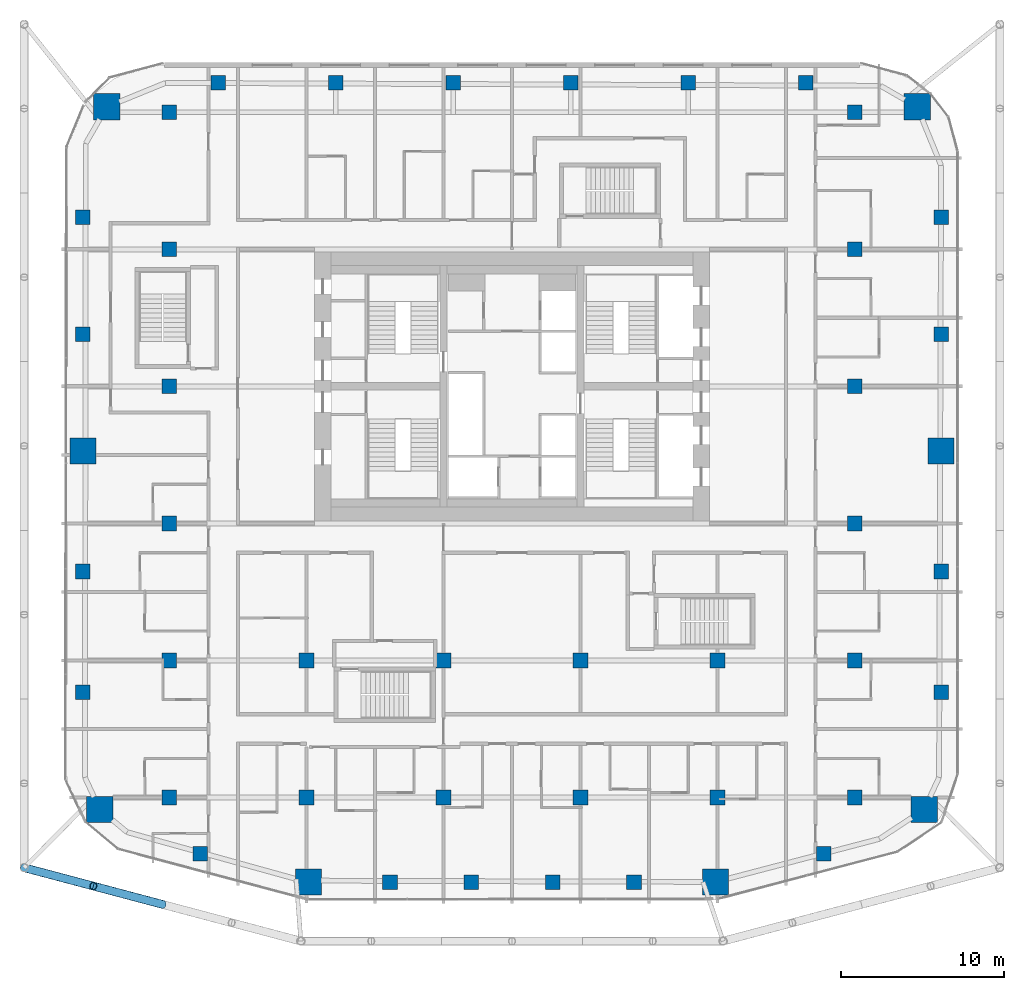
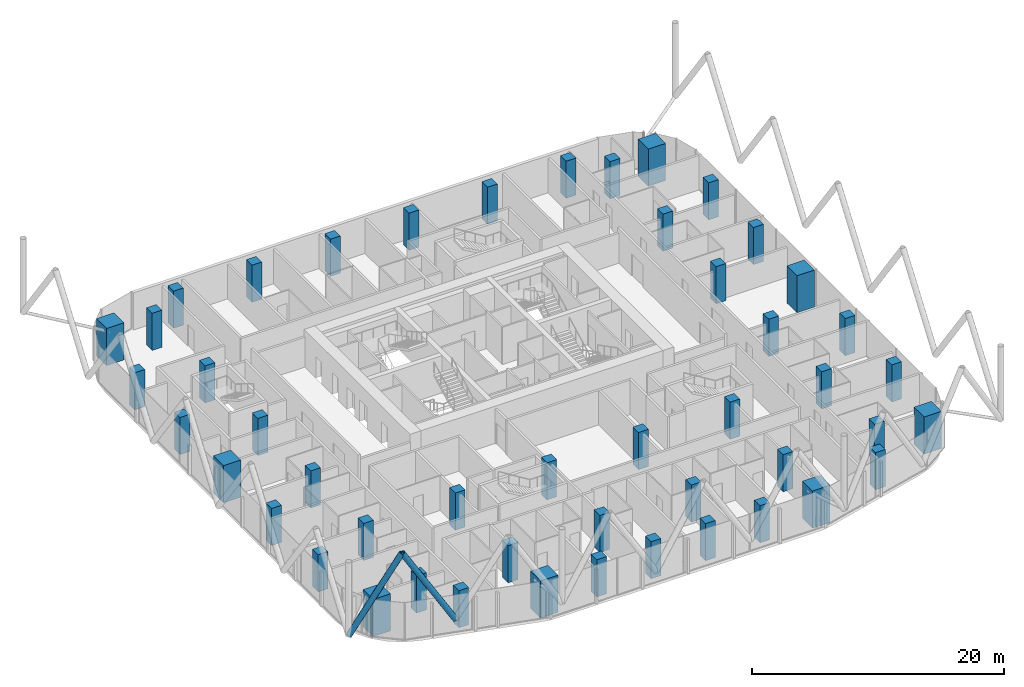
# One storey, part 1 of 33: 48 columns, 2 members.
"""IFC4 building model written with IfcOpenShell, lengths in metres."""

from ifc_helpers import new_model, si_unit, direction, frame, origin, origin_2d, place, context, subcontext, project, spatial, rectangle, hollow_circle, extrude, material, material_profile, profile_set, type_object, element, save


model = new_model("IFC4")

# Units and contexts
model_context = context("Model", 3, precision=1e-05, world=origin(), true_north=direction((0.0, 1.0)))
body_context = subcontext(model_context, "Body", "Model", "MODEL_VIEW")
ifc_project = project(units=[si_unit("LENGTHUNIT", "METRE"), si_unit("AREAUNIT", "SQUARE_METRE"), si_unit("VOLUMEUNIT", "CUBIC_METRE"), si_unit("PLANEANGLEUNIT", "RADIAN"), si_unit("MASSUNIT", "GRAM", prefix="KILO")], contexts=[model_context])

# Site, building, storey
site_placement = place(None, origin())
site = spatial("IfcSite", under=ifc_project, at=site_placement, CompositionType="ELEMENT")
building_placement = place(site_placement, origin())
building = spatial("IfcBuilding", under=site, at=building_placement, Name="Marenta Gate Hotel Tower", CompositionType="ELEMENT")
storey_placement = place(building_placement, frame((0.0, 0.0, 108.5)))
storey = spatial("IfcBuildingStorey", under=building, at=storey_placement, Name="L23", CompositionType="ELEMENT", Elevation=108.5)

# Columns
ifc_material_1 = material(Name="Concrete C70", Category="concrete")
ifc_material_profile_1 = material_profile(ifc_material_1, rectangle(XDim=0.89990234375, YDim=0.89990234375, at=origin_2d()), Name="900 x 900")
ifc_profile_set_1 = profile_set([ifc_material_profile_1], Name="Concrete C70")
column_type_1 = type_object("IfcColumnType", Name="Edge column 900 x 900 C70", PredefinedType="COLUMN", material=ifc_profile_set_1)
for number, where, z_axis, x_axis, name in (
    (1, (-26.300048828125, -10.351806640625, 0.0), (0.0, 0.0, 1.0), (1.0, 0.0, 0.0), "L23-EC-SW-W-1"),
    (2, (-26.300048828125, -2.950927734375, 0.0), (0.0, 0.0, 1.0), (1.0, 0.0, 0.0), "L23-EC-SW-W-2"),
    (3, (-26.300048828125, 11.603271484375, 0.0), (0.0, 0.0, 1.0), (1.0, 0.0, 0.0), "L23-EC-W-NW-1"),
    (4, (-26.300048828125, 18.75634765625, 0.0), (0.0, 0.0, 1.0), (1.0, 0.0, 0.0), "L23-EC-W-NW-2"),
    (5, (-18.0068359375, 27.0, 0.0), (0.0, 0.0, 1.0), (1.0, 0.0, 0.0), "L23-EC-NW-NE-1"),
    (6, (-10.80419921875, 27.0, 0.0), (0.0, 0.0, 1.0), (1.0, 0.0, 0.0), "L23-EC-NW-NE-2"),
    (7, (-3.601318359375, 27.0, 0.0), (0.0, 0.0, 1.0), (1.0, 0.0, 0.0), "L23-EC-NW-NE-3"),
    (8, (3.601318359375, 27.0, 0.0), (0.0, 0.0, 1.0), (1.0, 0.0, 0.0), "L23-EC-NW-NE-4"),
    (9, (10.80419921875, 27.0, 0.0), (0.0, 0.0, 1.0), (1.0, 0.0, 0.0), "L23-EC-NW-NE-5"),
    (10, (18.0068359375, 27.0, 0.0), (0.0, 0.0, 1.0), (1.0, 0.0, 0.0), "L23-EC-NW-NE-6"),
    (11, (26.300048828125, 18.75634765625, 0.0), (0.0, 0.0, 1.0), (1.0, 0.0, 0.0), "L23-EC-NE-E-1"),
    (12, (26.300048828125, 11.603271484375, 0.0), (0.0, 0.0, 1.0), (1.0, 0.0, 0.0), "L23-EC-NE-E-2"),
    (13, (26.300048828125, -2.950927734375, 0.0), (0.0, 0.0, 1.0), (1.0, 0.0, 0.0), "L23-EC-E-SE-1"),
    (14, (26.300048828125, -10.351806640625, 0.0), (0.0, 0.0, 1.0), (1.0, 0.0, 0.0), "L23-EC-E-SE-2"),
    (15, (19.106689453125, -20.239013671875, 0.0), (0.0, 0.0, 1.0), (1.0, 0.0, 0.0), "L23-EC-SE-SKE-1"),
    (16, (7.47998046875, -22.0, 0.0), (0.0, 0.0, 1.0), (1.0, 0.0, 0.0), "L23-EC-SKE-SKW-1"),
    (17, (2.493408203125, -22.0, 0.0), (0.0, 0.0, 1.0), (1.0, 0.0, 0.0), "L23-EC-SKE-SKW-2"),
    (18, (-2.493408203125, -22.0, 0.0), (0.0, 0.0, 1.0), (1.0, 0.0, 0.0), "L23-EC-SKE-SKW-3"),
    (19, (-7.47998046875, -22.0, 0.0), (0.0, 0.0, 1.0), (1.0, 0.0, 0.0), "L23-EC-SKE-SKW-4"),
    (20, (-19.106689453125, -20.239013671875, 0.0), (0.0, 0.0, 1.0), (1.0, 0.0, 0.0), "L23-EC-SKW-SW-1"),
):
    element("IfcColumn", number, at=place(storey_placement, frame(where, z_axis=z_axis, x_axis=x_axis)), inside=storey, type_object=column_type_1, Name=name, PredefinedType="COLUMN", context=body_context, shape_type="SweptSolid", body=[
        extrude(rectangle(XDim=0.89990234375, YDim=0.89990234375, at=origin_2d()), origin(), (0.0, 0.0, 1.0), 3.60009765625),
    ])
ifc_material_2 = material(Name="Concrete C70", Category="concrete")
ifc_material_profile_2 = material_profile(ifc_material_2, rectangle(XDim=0.89990234375, YDim=0.89990234375, at=origin_2d()), Name="900 x 900")
ifc_profile_set_2 = profile_set([ifc_material_profile_2], Name="Concrete C70")
column_type_2 = type_object("IfcColumnType", Name="Interior column 900 x 900 C70", PredefinedType="COLUMN", material=ifc_profile_set_2)
for number, where, z_axis, x_axis, name in (
    (21, (-21.0, -16.800048828125, 0.0), (0.0, 0.0, 1.0), (1.0, 0.0, 0.0), "L23-IC-4D"),
    (22, (-21.0, -8.39990234375, 0.0), (0.0, 0.0, 1.0), (1.0, 0.0, 0.0), "L23-IC-4E"),
    (23, (-21.0, 0.0, 0.0), (0.0, 0.0, 1.0), (1.0, 0.0, 0.0), "L23-IC-4F"),
    (24, (-21.0, 8.39990234375, 0.0), (0.0, 0.0, 1.0), (1.0, 0.0, 0.0), "L23-IC-4G"),
    (25, (-21.0, 16.800048828125, 0.0), (0.0, 0.0, 1.0), (1.0, 0.0, 0.0), "L23-IC-4H"),
    (26, (-21.0, 25.199951171875, 0.0), (0.0, 0.0, 1.0), (1.0, 0.0, 0.0), "L23-IC-4I"),
    (27, (-12.60009765625, -16.800048828125, 0.0), (0.0, 0.0, 1.0), (1.0, 0.0, 0.0), "L23-IC-5D"),
    (28, (-12.60009765625, -8.39990234375, 0.0), (0.0, 0.0, 1.0), (1.0, 0.0, 0.0), "L23-IC-5E"),
    (29, (-4.199951171875, -16.800048828125, 0.0), (0.0, 0.0, 1.0), (1.0, 0.0, 0.0), "L23-IC-6D"),
    (30, (-4.199951171875, -8.39990234375, 0.0), (0.0, 0.0, 1.0), (1.0, 0.0, 0.0), "L23-IC-6E"),
    (31, (4.199951171875, -16.800048828125, 0.0), (0.0, 0.0, 1.0), (1.0, 0.0, 0.0), "L23-IC-7D"),
    (32, (4.199951171875, -8.39990234375, 0.0), (0.0, 0.0, 1.0), (1.0, 0.0, 0.0), "L23-IC-7E"),
    (33, (12.60009765625, -16.800048828125, 0.0), (0.0, 0.0, 1.0), (1.0, 0.0, 0.0), "L23-IC-8D"),
    (34, (12.60009765625, -8.39990234375, 0.0), (0.0, 0.0, 1.0), (1.0, 0.0, 0.0), "L23-IC-8E"),
    (35, (21.0, -16.800048828125, 0.0), (0.0, 0.0, 1.0), (1.0, 0.0, 0.0), "L23-IC-9D"),
    (36, (21.0, -8.39990234375, 0.0), (0.0, 0.0, 1.0), (1.0, 0.0, 0.0), "L23-IC-9E"),
    (37, (21.0, 0.0, 0.0), (0.0, 0.0, 1.0), (1.0, 0.0, 0.0), "L23-IC-9F"),
    (38, (21.0, 8.39990234375, 0.0), (0.0, 0.0, 1.0), (1.0, 0.0, 0.0), "L23-IC-9G"),
    (39, (21.0, 16.800048828125, 0.0), (0.0, 0.0, 1.0), (1.0, 0.0, 0.0), "L23-IC-9H"),
    (40, (21.0, 25.199951171875, 0.0), (0.0, 0.0, 1.0), (1.0, 0.0, 0.0), "L23-IC-9I"),
):
    element("IfcColumn", number, at=place(storey_placement, frame(where, z_axis=z_axis, x_axis=x_axis)), inside=storey, type_object=column_type_2, Name=name, PredefinedType="COLUMN", context=body_context, shape_type="SweptSolid", body=[
        extrude(rectangle(XDim=0.89990234375, YDim=0.89990234375, at=origin_2d()), origin(), (0.0, 0.0, 1.0), 3.60009765625),
    ])
ifc_material_3 = material(Name="Concrete C70", Category="concrete")
ifc_material_profile_3 = material_profile(ifc_material_3, rectangle(XDim=1.60009765625, YDim=1.60009765625, at=origin_2d()), Name="1600 x 1600")
ifc_profile_set_3 = profile_set([ifc_material_profile_3], Name="Concrete C70")
column_type_3 = type_object("IfcColumnType", Name="Mega column 1600 x 1600 C70", PredefinedType="COLUMN", material=ifc_profile_set_3)
for number, where, z_axis, x_axis, name in (
    (41, (-25.262939453125, -17.532958984375, 0.0), (0.0, 0.0, 1.0), (1.0, 0.0, 0.0), "L23-MC-SW"),
    (42, (-12.46630859375, -21.974853515625, 0.0), (0.0, 0.0, 1.0), (1.0, 0.0, 0.0), "L23-MC-SKW"),
    (43, (12.46630859375, -21.974853515625, 0.0), (0.0, 0.0, 1.0), (1.0, 0.0, 0.0), "L23-MC-SKE"),
    (44, (25.262939453125, -17.532958984375, 0.0), (0.0, 0.0, 1.0), (1.0, 0.0, 0.0), "L23-MC-SE"),
    (45, (26.300048828125, 4.449951171875, 0.0), (0.0, 0.0, 1.0), (1.0, 0.0, 0.0), "L23-MC-E"),
    (46, (24.83544921875, 25.535400390625, 0.0), (0.0, 0.0, 1.0), (1.0, 0.0, 0.0), "L23-MC-NE"),
    (47, (-24.83544921875, 25.535400390625, 0.0), (0.0, 0.0, 1.0), (1.0, 0.0, 0.0), "L23-MC-NW"),
    (48, (-26.300048828125, 4.449951171875, 0.0), (0.0, 0.0, 1.0), (1.0, 0.0, 0.0), "L23-MC-W"),
):
    element("IfcColumn", number, at=place(storey_placement, frame(where, z_axis=z_axis, x_axis=x_axis)), inside=storey, type_object=column_type_3, Name=name, PredefinedType="COLUMN", context=body_context, shape_type="SweptSolid", body=[
        extrude(rectangle(XDim=1.60009765625, YDim=1.60009765625, at=origin_2d()), origin(), (0.0, 0.0, 1.0), 3.60009765625),
    ])

# Members
ifc_material_4 = material(Name="Steel S355J2W", Category="steel")
ifc_material_profile_4 = material_profile(ifc_material_4, hollow_circle(Radius=0.25390625, WallThickness=0.0400390625, at=origin_2d()), Name="CHS 508x40")
ifc_profile_set_4 = profile_set([ifc_material_profile_4], Name="Steel S355J2W")
member_type = type_object("IfcMemberType", Name="Diagrid diagonal Z2 CHS 508x40", PredefinedType="BRACE", material=ifc_profile_set_4)
member_1_placement = place(storey_placement, frame((-21.41943359375, -23.35009765625, 3.139892578125), z_axis=(-0.502933214587, 0.13342830634, 0.853964325211), x_axis=(-0.256429393985, -0.966562965306, 0.0)))
element("IfcMember", 49, at=member_1_placement, inside=storey, type_object=member_type, Name="L23-DG-23", PredefinedType="BRACE", context=body_context, shape_type="SweptSolid", body=[
    extrude(hollow_circle(Radius=0.25390625, WallThickness=0.0400390625, at=origin_2d()), origin(), (0.0, 0.0, 1.0), 8.431396484375),
])
member_2_placement = place(storey_placement, frame((-29.89990234375, -21.10009765625, 3.139892578125), z_axis=(0.502889949368, -0.133432192474, 0.853989197142), x_axis=(0.256456982503, 0.966555645644, 0.0)))
element("IfcMember", 50, at=member_2_placement, inside=storey, type_object=member_type, Name="L23-DG-24", PredefinedType="BRACE", context=body_context, shape_type="SweptSolid", body=[
    extrude(hollow_circle(Radius=0.25390625, WallThickness=0.0400390625, at=origin_2d()), origin(), (0.0, 0.0, 1.0), 8.43115234375),
])

save(model, "model.ifc")
